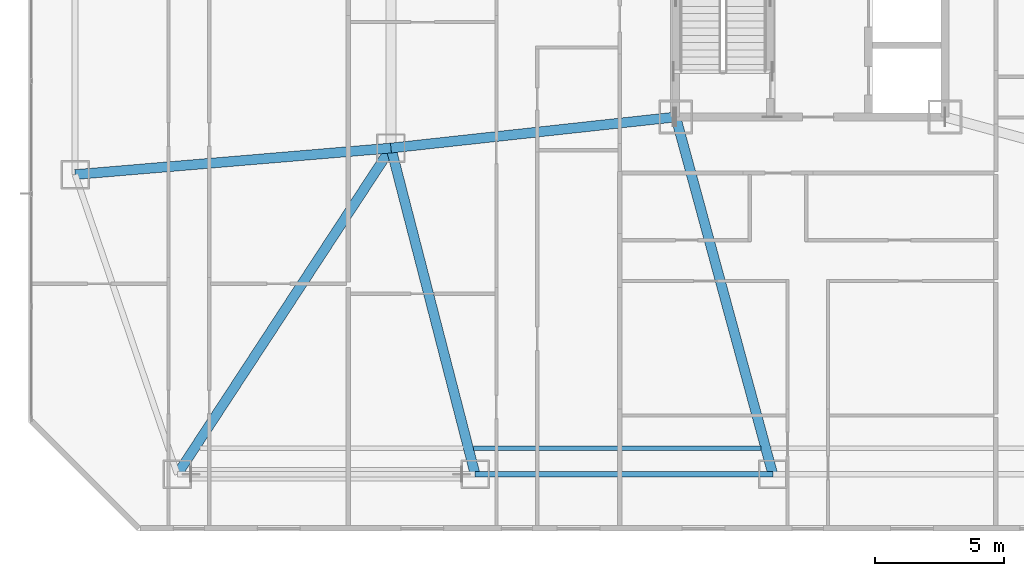
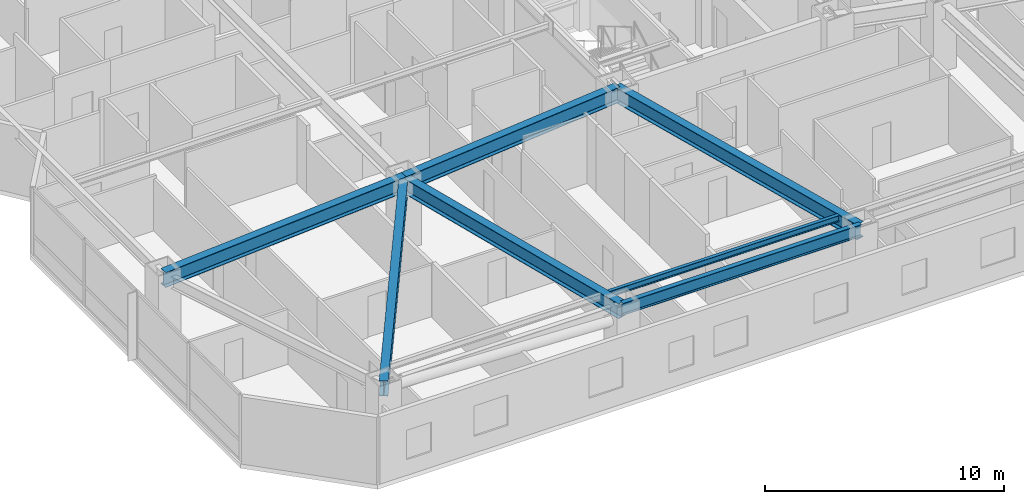
# One storey, part 5 of 18: 7 beams.
"""IFC4 building model written with IfcOpenShell, lengths in metres."""

from ifc_helpers import new_model, si_unit, direction, frame, origin, origin_2d, place, context, subcontext, project, spatial, i_section, extrude, material, material_profile, profile_set, type_object, element, save


model = new_model("IFC4")

# Units and contexts
model_context = context("Model", 3, precision=1e-05, world=origin(), true_north=direction((0.0, 1.0)))
body_context = subcontext(model_context, "Body", "Model", "MODEL_VIEW")
ifc_project = project(units=[si_unit("LENGTHUNIT", "METRE"), si_unit("AREAUNIT", "SQUARE_METRE"), si_unit("VOLUMEUNIT", "CUBIC_METRE"), si_unit("PLANEANGLEUNIT", "RADIAN"), si_unit("MASSUNIT", "GRAM", prefix="KILO")], contexts=[model_context])

# Site, building, storey
site_placement = place(None, origin())
site = spatial("IfcSite", under=ifc_project, at=site_placement, CompositionType="ELEMENT")
building_placement = place(site_placement, origin())
building = spatial("IfcBuilding", under=site, at=building_placement, Name="Khamvora Tower", CompositionType="ELEMENT")
storey_placement = place(building_placement, frame((0.0, 0.0, 69.800048828125)))
storey = spatial("IfcBuildingStorey", under=building, at=storey_placement, Name="L17", CompositionType="ELEMENT", Elevation=69.800048828125)

# Beams
ifc_material = material(Name="Steel S355", Category="steel")
ifc_material_profile_1 = material_profile(ifc_material, i_section(OverallWidth=0.166015625, OverallDepth=0.31298828125, WebThickness=0.007080078125, FlangeThickness=0.010986328125, FilletRadius=0.010009765625, at=origin_2d()), Name="W310x45")
ifc_profile_set_1 = profile_set([ifc_material_profile_1], Name="Steel S355")
beam_type_1 = type_object("IfcBeamType", Name="BM-JS-W310x45", PredefinedType="JOIST", material=ifc_profile_set_1)
beam_1_placement = place(storey_placement, frame((21.18408203125, 6.199951171875, 3.27392578125), z_axis=(1.0, 0.0, 0.0), x_axis=(0.0, 1.0, 0.0)))
element("IfcBeam", 1, at=beam_1_placement, inside=storey, type_object=beam_type_1, Name="L17 secondary floor joist 02", PredefinedType="JOIST", context=body_context, shape_type="SweptSolid", body=[
    extrude(i_section(OverallWidth=0.166015625, OverallDepth=0.31298828125, WebThickness=0.007080078125, FlangeThickness=0.010986328125, FilletRadius=0.010009765625, at=origin_2d()), origin(), (0.0, 0.0, 1.0), 11.101806640625),
])
ifc_material_profile_2 = material_profile(ifc_material, i_section(OverallWidth=0.381103515625, OverallDepth=0.77294921875, WebThickness=0.01708984375, FlangeThickness=0.027099609375, FilletRadius=0.01806640625, at=origin_2d()), Name="W760x257")
ifc_profile_set_2 = profile_set([ifc_material_profile_2], Name="Steel S355")
beam_type_2 = type_object("IfcBeamType", Name="BM-PG-W760x257", PredefinedType="BEAM", material=ifc_profile_set_2)
beam_2_placement = place(storey_placement, frame((18.0, 17.800048828125, 3.0439453125), z_axis=(-0.547782969742, -0.836620474325, 0.0), x_axis=(0.836620474325, -0.547782969742, 0.0)))
element("IfcBeam", 2, at=beam_2_placement, inside=storey, type_object=beam_type_2, Name="L17 primary floor girder S1", PredefinedType="BEAM", context=body_context, shape_type="SweptSolid", body=[
    extrude(i_section(OverallWidth=0.381103515625, OverallDepth=0.77294921875, WebThickness=0.01708984375, FlangeThickness=0.027099609375, FilletRadius=0.01806640625, at=origin_2d()), origin(), (0.0, 0.0, 1.0), 15.060791015625),
])
beam_3_placement = place(storey_placement, frame((18.0, 17.800048828125, 3.0439453125), z_axis=(0.249759990341, -0.968307775051, 0.0), x_axis=(0.968307775051, 0.249759990341, 0.0)))
element("IfcBeam", 3, at=beam_3_placement, inside=storey, type_object=beam_type_2, Name="L17 primary floor girder S2", PredefinedType="BEAM", context=body_context, shape_type="SweptSolid", body=[
    extrude(i_section(OverallWidth=0.381103515625, OverallDepth=0.77294921875, WebThickness=0.01708984375, FlangeThickness=0.027099609375, FilletRadius=0.01806640625, at=origin_2d()), origin(), (0.0, 0.0, 1.0), 13.012451171875),
])
beam_4_placement = place(storey_placement, frame((29.0, 19.0, 3.0439453125), z_axis=(0.262228883577, -0.965005706003, 0.0), x_axis=(0.965005706003, 0.262228883577, 0.0)))
element("IfcBeam", 4, at=beam_4_placement, inside=storey, type_object=beam_type_2, Name="L17 primary floor girder S3", PredefinedType="BEAM", context=body_context, shape_type="SweptSolid", body=[
    extrude(i_section(OverallWidth=0.381103515625, OverallDepth=0.77294921875, WebThickness=0.01708984375, FlangeThickness=0.027099609375, FilletRadius=0.01806640625, at=origin_2d()), origin(), (0.0, 0.0, 1.0), 14.300537109375),
])
beam_5_placement = place(storey_placement, frame((18.0, 17.800048828125, 3.0439453125), z_axis=(-0.996488172114, -0.083733642207, 0.0), x_axis=(0.083733642207, -0.996488172114, 0.0)))
element("IfcBeam", 5, at=beam_5_placement, inside=storey, type_object=beam_type_2, Name="L17 primary floor girder W1", PredefinedType="BEAM", context=body_context, shape_type="SweptSolid", body=[
    extrude(i_section(OverallWidth=0.381103515625, OverallDepth=0.77294921875, WebThickness=0.01708984375, FlangeThickness=0.027099609375, FilletRadius=0.01806640625, at=origin_2d()), origin(), (0.0, 0.0, 1.0), 12.242919921875),
])
beam_6_placement = place(storey_placement, frame((29.0, 19.0, 3.0439453125), z_axis=(-0.994102652327, -0.108443149329, 0.0), x_axis=(0.108443149329, -0.994102652327, 0.0)))
element("IfcBeam", 6, at=beam_6_placement, inside=storey, type_object=beam_type_2, Name="L17 primary floor girder MW1", PredefinedType="BEAM", context=body_context, shape_type="SweptSolid", body=[
    extrude(i_section(OverallWidth=0.381103515625, OverallDepth=0.77294921875, WebThickness=0.01708984375, FlangeThickness=0.027099609375, FilletRadius=0.01806640625, at=origin_2d()), origin(), (0.0, 0.0, 1.0), 11.065185546875),
])
ifc_material_profile_3 = material_profile(ifc_material, i_section(OverallWidth=0.22998046875, OverallDepth=0.616943359375, WebThickness=0.012939453125, FlangeThickness=0.02197265625, FilletRadius=0.013916015625, at=origin_2d()), Name="W610x140")
ifc_profile_set_3 = profile_set([ifc_material_profile_3], Name="Steel S355")
beam_type_3 = type_object("IfcBeamType", Name="BM-SP-W610x140", PredefinedType="SPANDREL", material=ifc_profile_set_3)
beam_7_placement = place(storey_placement, frame((21.25, 5.199951171875, 3.1220703125), z_axis=(1.0, 0.0, 0.0), x_axis=(0.0, 1.0, 0.0)))
element("IfcBeam", 7, at=beam_7_placement, inside=storey, type_object=beam_type_3, Name="L17 perimeter spandrel beam S2-S3", PredefinedType="SPANDREL", context=body_context, shape_type="SweptSolid", body=[
    extrude(i_section(OverallWidth=0.22998046875, OverallDepth=0.616943359375, WebThickness=0.012939453125, FlangeThickness=0.02197265625, FilletRadius=0.013916015625, at=origin_2d()), origin(), (0.0, 0.0, 1.0), 11.5),
])

save(model, "model.ifc")
